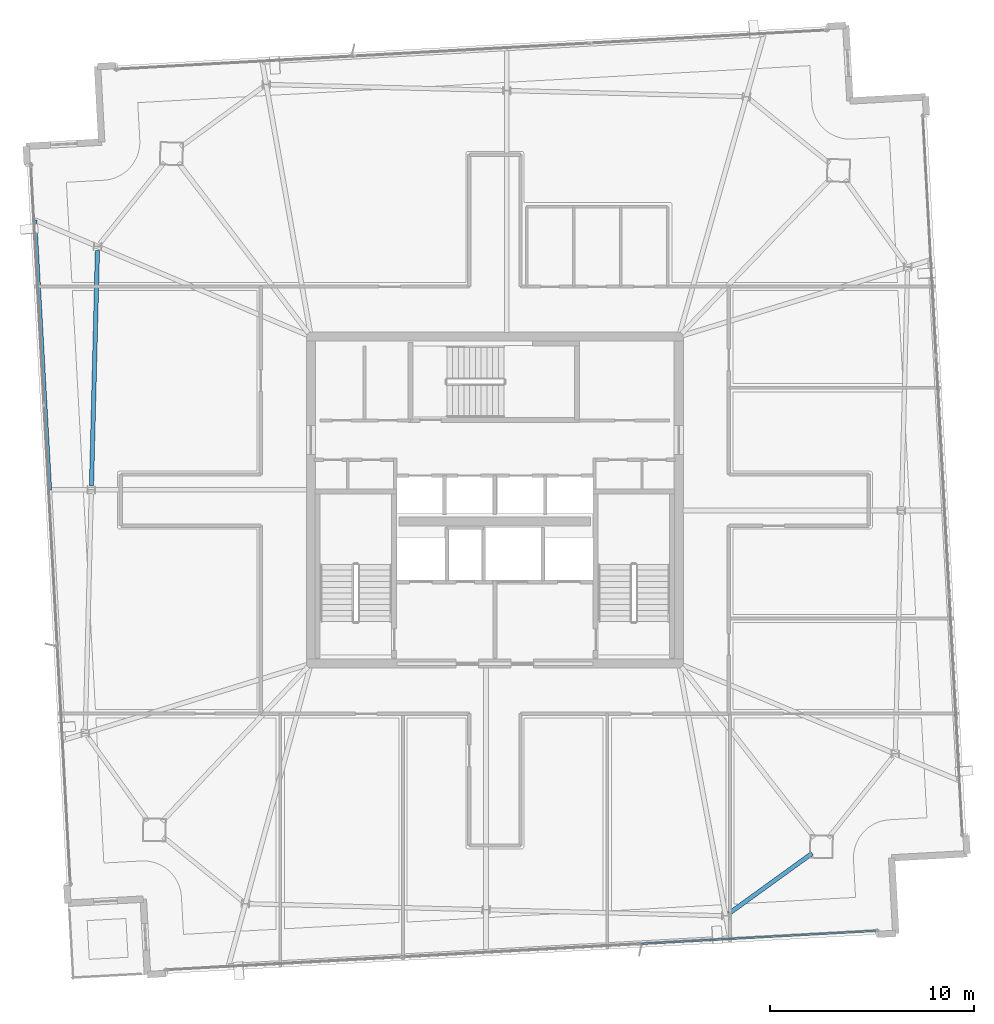
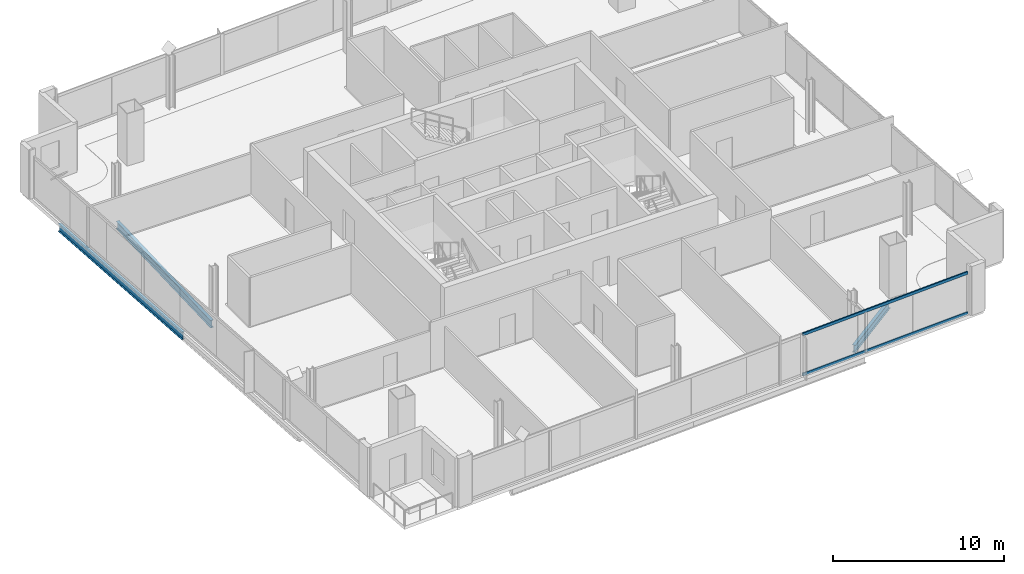
# One storey, part 7 of 23: 3 beams, 2 members, 1 element without a shape of its own.
"""IFC4 building model written with IfcOpenShell, lengths in metres."""

from ifc_helpers import new_model, si_unit, direction, frame, origin, origin_2d, place, context, subcontext, project, spatial, hollow_rectangle, i_section, extrude, material, material_profile, profile_set, type_object, element, aggregate, save


model = new_model("IFC4")

# Units and contexts
model_context = context("Model", 3, precision=1e-05, world=origin(), true_north=direction((0.0, 1.0)))
body_context = subcontext(model_context, "Body", "Model", "MODEL_VIEW")
ifc_project = project(units=[si_unit("LENGTHUNIT", "METRE"), si_unit("AREAUNIT", "SQUARE_METRE"), si_unit("VOLUMEUNIT", "CUBIC_METRE"), si_unit("PLANEANGLEUNIT", "RADIAN"), si_unit("MASSUNIT", "GRAM", prefix="KILO")], contexts=[model_context])

# Site, building, storey
site_placement = place(None, origin())
site = spatial("IfcSite", under=ifc_project, at=site_placement, CompositionType="ELEMENT")
building_placement = place(site_placement, origin())
building = spatial("IfcBuilding", under=site, at=building_placement, Name="Haldenkirk Collegiate Tower", CompositionType="ELEMENT")
storey_placement = place(building_placement, frame((0.0, 0.0, 340.199951171875)))
storey = spatial("IfcBuildingStorey", under=building, at=storey_placement, Name="L86", CompositionType="ELEMENT", Elevation=340.199951171875)

# Beams
ifc_material_1 = material(Name="Steel ASTM A992 Grade 50", Category="steel")
ifc_material_profile_1 = material_profile(ifc_material_1, i_section(OverallWidth=0.2099609375, OverallDepth=0.537109375, WebThickness=0.010986328125, FlangeThickness=0.017333984375, at=origin_2d()), Name="W21X68")
ifc_profile_set_1 = profile_set([ifc_material_profile_1], Name="Steel ASTM A992 Grade 50")
beam_type = type_object("IfcBeamType", Name="BM-SPANDREL-W21X68", PredefinedType="SPANDREL", material=ifc_profile_set_1)
beam_1_placement = place(storey_placement, frame((16.552978515625, 38.22412109375, -0.528564453125), z_axis=(-0.025302458902, -0.999679841536, 0.0), x_axis=(0.999679841536, -0.025302458902, 0.0)))
element("IfcBeam", 1, at=beam_1_placement, inside=storey, type_object=beam_type, Name="L86 perimeter spandrel beam 10", PredefinedType="SPANDREL", context=body_context, shape_type="SweptSolid", body=[
    extrude(i_section(OverallWidth=0.2099609375, OverallDepth=0.537109375, WebThickness=0.010986328125, FlangeThickness=0.017333984375, at=origin_2d()), origin(), (0.0, 0.0, 1.0), 11.5400390625),
])
beam_2_placement = place(storey_placement, frame((47.44921875, 5.767578125, -0.528564453125), z_axis=(0.810388642646, 0.585892693136, 0.0), x_axis=(-0.585892693136, 0.810388642646, 0.0)))
element("IfcBeam", 2, at=beam_2_placement, inside=storey, type_object=beam_type, Name="L86 perimeter spandrel beam 16", PredefinedType="SPANDREL", context=body_context, shape_type="SweptSolid", body=[
    extrude(i_section(OverallWidth=0.2099609375, OverallDepth=0.537109375, WebThickness=0.010986328125, FlangeThickness=0.017333984375, at=origin_2d()), origin(), (0.0, 0.0, 1.0), 5.03076171875),
])
beam_3_placement = place(storey_placement, frame((13.482421875, 39.711181640625, -0.528564453125), z_axis=(0.054967221551, -0.998488159447, 0.0), x_axis=(0.998488159447, 0.054967221551, 0.0)))
element("IfcBeam", 3, at=beam_3_placement, inside=storey, type_object=beam_type, Name="L86 outer facade edge beam 3A", PredefinedType="SPANDREL", context=body_context, shape_type="SweptSolid", body=[
    extrude(i_section(OverallWidth=0.2099609375, OverallDepth=0.537109375, WebThickness=0.010986328125, FlangeThickness=0.017333984375, at=origin_2d()), origin(), (0.0, 0.0, 1.0), 13.2314453125),
])

# Curtain wall, members
ifc_material_2 = material(Name="Anodised architectural bronze aluminium", Category="aluminium")
curtain_wall_type = type_object("IfcCurtainWallType", Name="CW-SYS1B-CONVEX-HI", PredefinedType="USERDEFINED", material=ifc_material_2)
curtain_wall_placement = place(storey_placement, origin())
curtain_wall = element("IfcCurtainWall", 4, at=curtain_wall_placement, inside=storey, type_object=curtain_wall_type, Name="L86 Upper tower high-wind convex bronze unitised curtain wall", ObjectType="UNITISED CURTAIN WALL", PredefinedType="USERDEFINED")
ifc_material_profile_2 = material_profile(ifc_material_2, hollow_rectangle(XDim=0.0849609375, YDim=0.199951171875, WallThickness=0.0048828125, at=origin_2d()), Name="CW-TRN-1B")
ifc_profile_set_2 = profile_set([ifc_material_profile_2], Name="Anodised architectural bronze aluminium")
member_type = type_object("IfcMemberType", Name="CW-TRN-1B", PredefinedType="USERDEFINED", material=ifc_profile_set_2)
member_1_placement = place(storey_placement, frame((54.62646484375, 4.921630859375, 0.04248046875), z_axis=(-0.998488902033, -0.054953730695, 0.0), x_axis=(0.054953730695, -0.998488902033, 0.0)))
member_1 = element("IfcMember", 5, at=member_1_placement, type_object=member_type, Name="CW-1B transom 1.1", ObjectType="TRANSOM", PredefinedType="USERDEFINED", context=body_context, shape_type="SweptSolid", body=[
    extrude(hollow_rectangle(XDim=0.0849609375, YDim=0.199951171875, WallThickness=0.0048828125, at=origin_2d()), origin(), (0.0, 0.0, 1.0), 11.49755859375),
])
member_2_placement = place(storey_placement, frame((54.62646484375, 4.921630859375, 2.905517578125), z_axis=(-0.998488902033, -0.054953730695, 0.0), x_axis=(0.054953730695, -0.998488902033, 0.0)))
member_2 = element("IfcMember", 6, at=member_2_placement, type_object=member_type, Name="CW-1B transom 1.2", ObjectType="TRANSOM", PredefinedType="USERDEFINED", context=body_context, shape_type="SweptSolid", body=[
    extrude(hollow_rectangle(XDim=0.0849609375, YDim=0.199951171875, WallThickness=0.0048828125, at=origin_2d()), origin(), (0.0, 0.0, 1.0), 11.49755859375),
])
aggregate(curtain_wall, [member_1, member_2])

save(model, "model.ifc")
